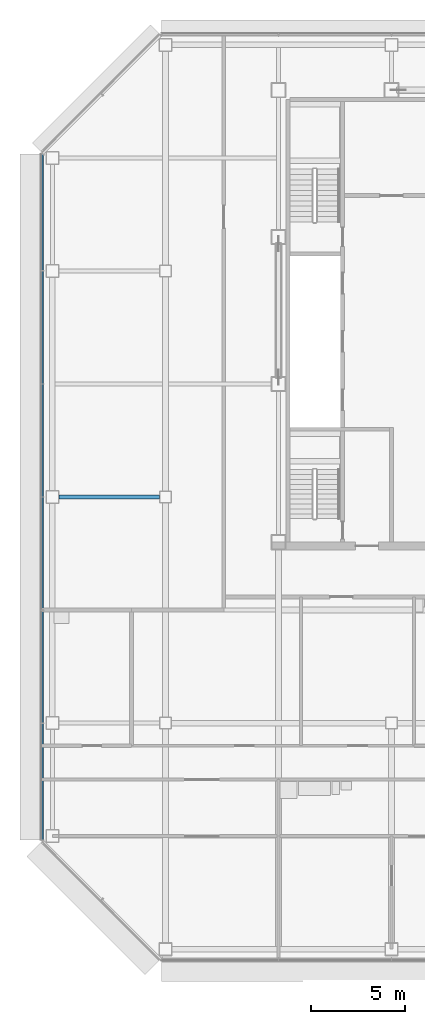
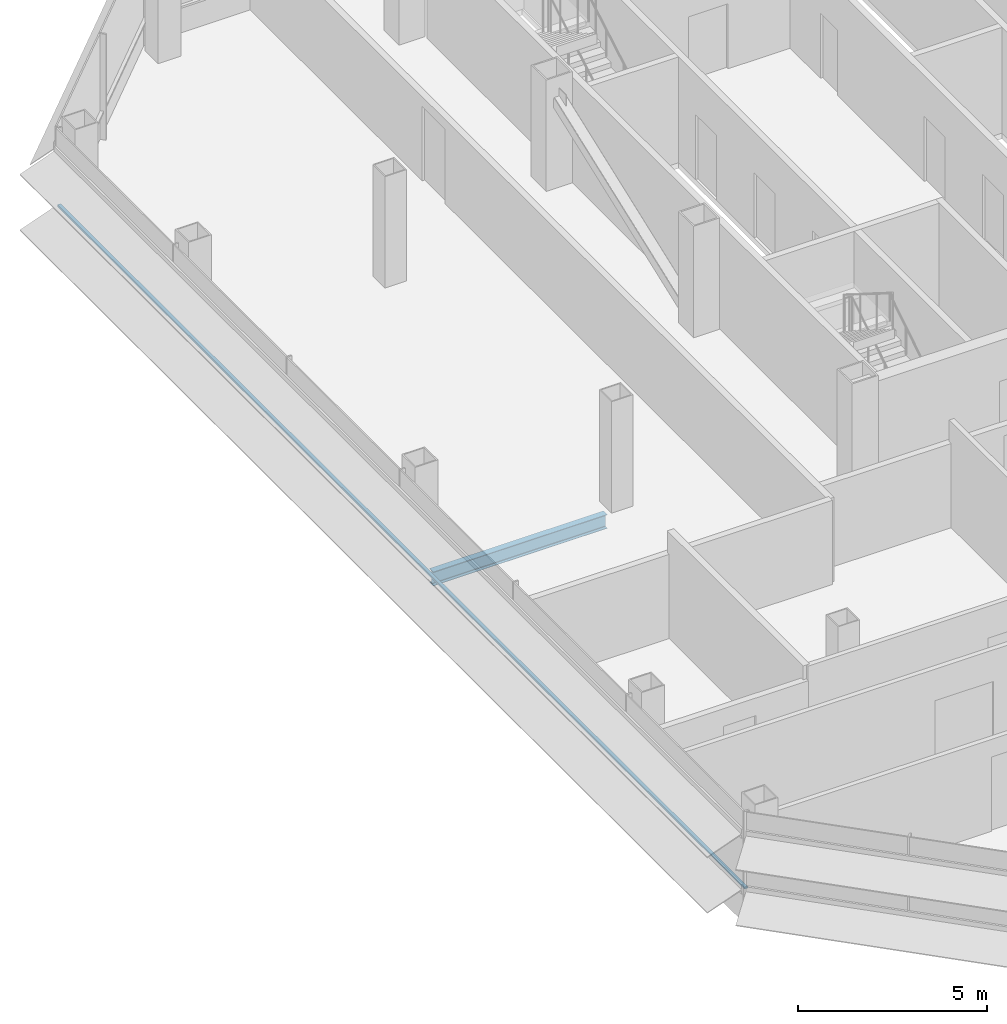
# One storey, part 5 of 26: 1 beam, 1 member, 1 element without a shape of its own.
"""IFC4 building model written with IfcOpenShell, lengths in metres."""

import ifcopenshell
import ifcopenshell.guid

model = None  # the IFC model being written
_history = None  # IfcOwnerHistory: only IFC2X3 demands one
_inside = {}  # id of a spatial element -> (the spatial element, [elements in it])
_under = {}  # id of a project, library or spatial element -> (it, [spatial elements below it])
_declared = {}  # id of a project -> (the project, [libraries it declares])
_typed = {}  # id of a type object -> (the type object, [elements of that type])
_made_of = {}  # id of a material, layer set ... -> (it, [elements and type objects made of it])


def new_model(schema):
    """Start an empty IFC model of exactly this schema.

    Asked for "IFC4X3", IfcOpenShell would pick the latest addendum, in which some entities
    have other attributes; the version numbers below select the first issue.
    IFC2X3 requires an IfcOwnerHistory on every rooted entity: one is made here for all.
    """
    global model, _history
    if schema == "IFC4X3":
        model = ifcopenshell.file(schema_version=(4, 3, 0, 0))
    else:
        model = ifcopenshell.file(schema=schema)
    _inside.clear()
    _under.clear()
    _declared.clear()
    _typed.clear()
    _made_of.clear()
    _history = None
    if model.schema == "IFC2X3":
        org = make("IfcOrganization", Name="unknown")
        user = make(
            "IfcPersonAndOrganization",
            ThePerson=make("IfcPerson", FamilyName="unknown"),
            TheOrganization=org,
        )
        app = make(
            "IfcApplication",
            ApplicationDeveloper=org,
            Version="unknown",
            ApplicationFullName="unknown",
            ApplicationIdentifier="unknown",
        )
        _history = make(
            "IfcOwnerHistory",
            OwningUser=user,
            OwningApplication=app,
            ChangeAction="ADDED",
            CreationDate=0,
        )
    return model


def make(cls, **values):
    """One entity of the class cls with the attributes given. An attribute that is None is left unset."""
    return model.create_entity(
        cls, **{name: value for name, value in values.items() if value is not None}
    )


def rooted(cls, **values):
    """An entity with a GlobalId (a new one), such as an element, a storey or a relation."""
    return make(cls, GlobalId=ifcopenshell.guid.new(), OwnerHistory=_history, **values)


def si_unit(unit_type, name, prefix=None):
    """IfcSIUnit, for example si_unit("LENGTHUNIT", "METRE", prefix="MILLI")."""
    return make("IfcSIUnit", UnitType=unit_type, Prefix=prefix, Name=name)


def assignment(units):
    """IfcUnitAssignment: the units of a project."""
    return None if units is None else make("IfcUnitAssignment", Units=units)


def point(xyz):
    """IfcCartesianPoint."""
    return None if xyz is None else make("IfcCartesianPoint", Coordinates=xyz)


def direction(xyz):
    """IfcDirection."""
    return None if xyz is None else make("IfcDirection", DirectionRatios=xyz)


def frame(location, z_axis=None, x_axis=None):
    """IfcAxis2Placement3D, a coordinate frame: its origin and axes. An axis left out is left unset."""
    return make(
        "IfcAxis2Placement3D",
        Location=point(location),
        Axis=direction(z_axis),
        RefDirection=direction(x_axis),
    )


def frame_2d(location, x_axis=None):
    """IfcAxis2Placement2D, a coordinate frame in the plane: its origin and x axis."""
    return make(
        "IfcAxis2Placement2D", Location=point(location), RefDirection=direction(x_axis)
    )


def origin():
    """The frame at (0, 0, 0) with its axes left unset."""
    return frame((0.0, 0.0, 0.0))


def origin_2d():
    """The frame at (0, 0) in the plane with its x axis left unset."""
    return frame_2d((0.0, 0.0))


def place(relative_to, where):
    """IfcLocalPlacement: puts the frame where relative to a parent placement (None: the world)."""
    return make(
        "IfcLocalPlacement", PlacementRelTo=relative_to, RelativePlacement=where
    )


def context(
    kind, dimensions, precision=None, world=None, true_north=None, identifier=None
):
    """IfcGeometricRepresentationContext, for example the 3D "Model" context."""
    return make(
        "IfcGeometricRepresentationContext",
        ContextIdentifier=identifier,
        ContextType=kind,
        CoordinateSpaceDimension=dimensions,
        Precision=precision,
        WorldCoordinateSystem=world,
        TrueNorth=true_north,
    )


def subcontext(parent, identifier, kind, view, scale=None):
    """IfcGeometricRepresentationSubContext, for example "Body" below "Model"."""
    return make(
        "IfcGeometricRepresentationSubContext",
        ContextIdentifier=identifier,
        ContextType=kind,
        ParentContext=parent,
        TargetScale=scale,
        TargetView=view,
    )


def project(units=None, contexts=None):
    """IfcProject with its units and contexts."""
    return rooted(
        "IfcProject",
        Name="project",
        RepresentationContexts=contexts,
        UnitsInContext=assignment(units),
    )


def spatial(cls, under=None, at=None, **own):
    """A site, building, storey or space (cls), placed at a placement, below another one or the project."""
    s = rooted(cls, ObjectPlacement=at, **own)
    if under is not None:
        _under.setdefault(under.id(), (under, []))[1].append(s)
    return s


def profile(cls, at=None, kind="AREA", **sizes):
    """A parametric profile (cls). Its sizes go by their IFC names, for example OverallWidth=200.0."""
    return make(cls, ProfileType=kind, Position=at, **sizes)


def rectangle(**sizes):
    """IfcRectangleProfileDef."""
    return profile("IfcRectangleProfileDef", **sizes)


def i_section(**sizes):
    """IfcIShapeProfileDef."""
    return profile("IfcIShapeProfileDef", **sizes)


def extrude(swept, where, along, depth):
    """IfcExtrudedAreaSolid: the profile swept, set in the frame where, extruded along a direction by depth."""
    return make(
        "IfcExtrudedAreaSolid",
        SweptArea=swept,
        Position=where,
        ExtrudedDirection=direction(along),
        Depth=depth,
    )


def shape(context_of_items, identifier, shape_type, items):
    """IfcShapeRepresentation: the items that make up one representation, for example the "Body"."""
    return make(
        "IfcShapeRepresentation",
        ContextOfItems=context_of_items,
        RepresentationIdentifier=identifier,
        RepresentationType=shape_type,
        Items=items,
    )


def material(Name=None, Category=None):
    """IfcMaterial."""
    return make("IfcMaterial", Name=Name, Category=Category)


def material_profile(
    of_material, cross_section, Name=None, Category=None, Priority=None
):
    """IfcMaterialProfile: a cross section and its material."""
    return make(
        "IfcMaterialProfile",
        Name=Name,
        Material=of_material,
        Profile=cross_section,
        Priority=Priority,
        Category=Category,
    )


def profile_set(profiles, Name=None, composite=None):
    """IfcMaterialProfileSet."""
    return make(
        "IfcMaterialProfileSet",
        Name=Name,
        MaterialProfiles=profiles,
        CompositeProfile=composite,
    )


def made_of(thing, what):
    """Note that an element or type object is made of a material, layer set ...; save() writes the relation."""
    if what is not None:
        _made_of.setdefault(what.id(), (what, []))[1].append(thing)
    return thing


def type_object(cls, material=None, **own):
    """A type object (cls), such as IfcWallType, which elements share."""
    return made_of(rooted(cls, **own), material)


def element(
    cls,
    number,
    at=None,
    inside=None,
    cuts=None,
    type_object=None,
    material=None,
    context=None,
    identifier="Body",
    shape_type=None,
    held_by="IfcProductDefinitionShape",
    body=None,
    shapes=None,
    **own,
):
    """One element of the class cls, such as IfcWall. Its Tag is "e" and its number.

    at: its placement. inside: the storey or other place that contains it. cuts: it is an
    opening in that element (IfcRelVoidsElement). A single representation is given by context,
    identifier, shape_type and body (its items); several are given by shapes. held_by: the class
    of the entity that holds the representations. save() writes the other relations.
    """
    e = rooted(cls, Tag="e%d" % number, ObjectPlacement=at, **own)
    if body is not None:
        shapes = [shape(context, identifier, shape_type, body)]
    if shapes is not None:
        e.Representation = make(held_by, Representations=shapes)
    if inside is not None:
        _inside.setdefault(inside.id(), (inside, []))[1].append(e)
    if cuts is not None:
        rooted(
            "IfcRelVoidsElement", RelatingBuildingElement=cuts, RelatedOpeningElement=e
        )
    if type_object is not None:
        _typed.setdefault(type_object.id(), (type_object, []))[1].append(e)
    return made_of(e, material)


def aggregate(whole, parts):
    """IfcRelAggregates: a whole, such as a stair, and the parts it consists of."""
    return rooted("IfcRelAggregates", RelatingObject=whole, RelatedObjects=parts)


def save(model, path):
    """Write the relations noted so far, then the file.

    IfcRelAggregates (storeys below a building ...), IfcRelContainedInSpatialStructure (elements
    in a storey), IfcRelDefinesByType, IfcRelAssociatesMaterial and IfcRelDeclares: one each for
    every whole, place, type object, material and project.
    """
    for whole, parts in _under.values():
        aggregate(whole, parts)
    for where, things in _inside.values():
        rooted(
            "IfcRelContainedInSpatialStructure",
            RelatedElements=things,
            RelatingStructure=where,
        )
    for kind, things in _typed.values():
        rooted("IfcRelDefinesByType", RelatedObjects=things, RelatingType=kind)
    for what, things in _made_of.values():
        rooted("IfcRelAssociatesMaterial", RelatedObjects=things, RelatingMaterial=what)
    for by, libraries in _declared.values():
        rooted("IfcRelDeclares", RelatingContext=by, RelatedDefinitions=libraries)
    model.write(path)


model = new_model("IFC4")

# Units and contexts
model_context = context("Model", 3, precision=1e-05, world=origin(), true_north=direction((0.0, 1.0)))
body_context = subcontext(model_context, "Body", "Model", "MODEL_VIEW")
ifc_project = project(units=[si_unit("LENGTHUNIT", "METRE"), si_unit("AREAUNIT", "SQUARE_METRE"), si_unit("VOLUMEUNIT", "CUBIC_METRE"), si_unit("PLANEANGLEUNIT", "RADIAN"), si_unit("MASSUNIT", "GRAM", prefix="KILO")], contexts=[model_context])

# Site, building, storey
site_placement = place(None, origin())
site = spatial("IfcSite", under=ifc_project, at=site_placement, CompositionType="ELEMENT")
building_placement = place(site_placement, origin())
building = spatial("IfcBuilding", under=site, at=building_placement, Name="Sorahane Residences", CompositionType="ELEMENT")
storey_placement = place(building_placement, frame((0.0, 0.0, 151.0)))
storey = spatial("IfcBuildingStorey", under=building, at=storey_placement, Name="L34", CompositionType="ELEMENT", Elevation=151.0)

# Curtain wall, member
ifc_material_1 = material(Name="Dark low-e glass and black anodised aluminium", Category="aluminium")
curtain_wall_type = type_object("IfcCurtainWallType", Name="Curtain wall CW-1 Typical unitised wall", PredefinedType="NOTDEFINED", material=ifc_material_1)
curtain_wall_placement = place(storey_placement, origin())
curtain_wall = element("IfcCurtainWall", 1, at=curtain_wall_placement, inside=storey, type_object=curtain_wall_type, Name="CW-1 curtain wall L34 W1", PredefinedType="NOTDEFINED")
ifc_material_2 = material(Name="Black anodised aluminium", Category="aluminium")
ifc_material_profile_1 = material_profile(ifc_material_2, rectangle(XDim=0.10009765625, YDim=0.06005859375, at=origin_2d()), Name="Curtain wall transom CW-1 black anodised aluminium 60x100")
ifc_profile_set_1 = profile_set([ifc_material_profile_1], Name="Black anodised aluminium")
member_type = type_object("IfcMemberType", Name="Curtain wall transom CW-1 black anodised aluminium 60x100", PredefinedType="USERDEFINED", material=ifc_profile_set_1)
member_placement = place(storey_placement, frame((-6.530029296875, 42.198486328125, 0.89990234375), z_axis=(0.0, -1.0, 0.0), x_axis=(1.0, 0.0, 0.0)))
member = element("IfcMember", 2, at=member_placement, type_object=member_type, Name="CW-1 transom L34 W1", ObjectType="TRANSOM", PredefinedType="USERDEFINED", context=body_context, shape_type="SweptSolid", body=[
    extrude(rectangle(XDim=0.10009765625, YDim=0.06005859375, at=origin_2d()), origin(), (0.0, 0.0, 1.0), 36.39697265625),
])
aggregate(curtain_wall, [member])

# Beam
ifc_material_3 = material(Name="Steel Q355B", Category="steel")
ifc_material_profile_2 = material_profile(ifc_material_3, i_section(OverallWidth=0.199951171875, OverallDepth=0.449951171875, WebThickness=0.009033203125, FlangeThickness=0.013916015625, FilletRadius=0.02001953125, at=origin_2d()), Name="HN 450x200x9x14")
ifc_profile_set_2 = profile_set([ifc_material_profile_2], Name="Steel Q355B")
beam_type = type_object("IfcBeamType", Name="Steel floor beam HN 450x200x9x14 Q355B", PredefinedType="BEAM", material=ifc_profile_set_2)
beam_placement = place(storey_placement, frame((-5.64990234375, 24.0, -0.405029296875), z_axis=(1.0, 0.0, 0.0), x_axis=(0.0, 1.0, 0.0)))
element("IfcBeam", 3, at=beam_placement, inside=storey, type_object=beam_type, Name="Beam L34 011", PredefinedType="BEAM", context=body_context, shape_type="SweptSolid", body=[
    extrude(i_section(OverallWidth=0.199951171875, OverallDepth=0.449951171875, WebThickness=0.009033203125, FlangeThickness=0.013916015625, FilletRadius=0.02001953125, at=origin_2d()), origin(), (0.0, 0.0, 1.0), 5.324951171875),
])

save(model, "model.ifc")
